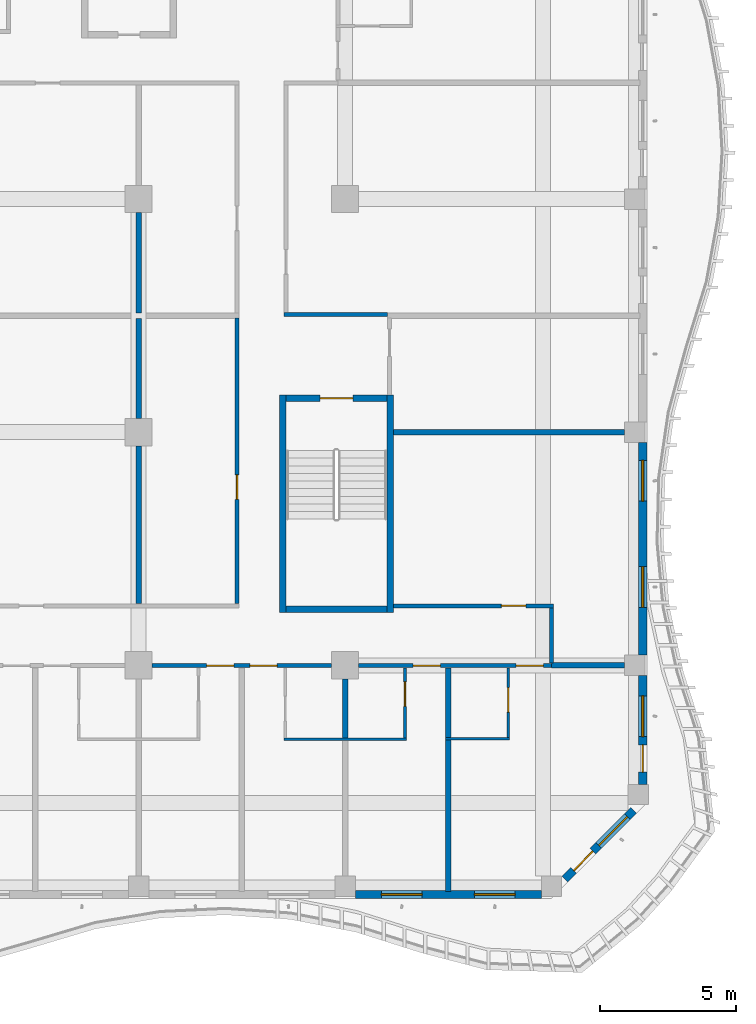
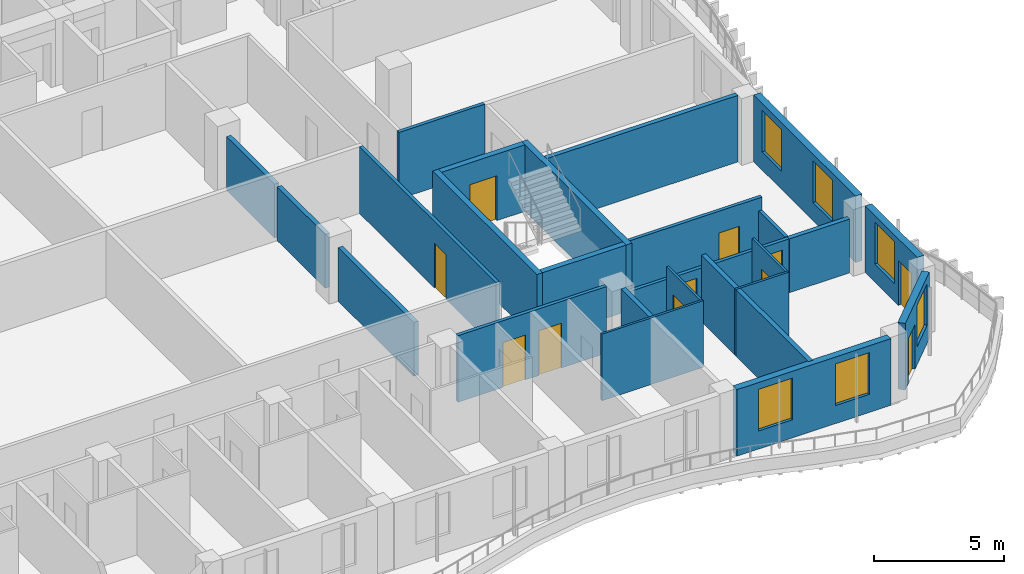
# One storey, part 5 of 23: 26 walls, 11 doors, 6 windows, 17 openings.
"""IFC4 building model written with IfcOpenShell, lengths in metres."""

from ifc_helpers import new_model, si_unit, direction, frame, frame_2d, origin, place, context, subcontext, project, spatial, rectangle, extrude, source, transform, mapped, material, layer, layer_set, type_object, element, fill, save


model = new_model("IFC4")

# Units and contexts
model_context = context("Model", 3, precision=1e-05, world=origin(), true_north=direction((0.0, 1.0)))
body_context = subcontext(model_context, "Body", "Model", "MODEL_VIEW")
ifc_project = project(units=[si_unit("LENGTHUNIT", "METRE"), si_unit("AREAUNIT", "SQUARE_METRE"), si_unit("VOLUMEUNIT", "CUBIC_METRE"), si_unit("PLANEANGLEUNIT", "RADIAN"), si_unit("MASSUNIT", "GRAM", prefix="KILO")], contexts=[model_context])

# Site, building, storey
site_placement = place(None, origin())
site = spatial("IfcSite", under=ifc_project, at=site_placement, CompositionType="ELEMENT")
building_placement = place(site_placement, origin())
building = spatial("IfcBuilding", under=site, at=building_placement, Name="Kilnfold Tower and Market Hall", CompositionType="ELEMENT")
storey_placement = place(building_placement, frame((0.0, 0.0, 203.300048828125)))
storey = spatial("IfcBuildingStorey", under=building, at=storey_placement, Name="L49", CompositionType="ELEMENT", Elevation=203.300048828125)

# Wall, openings, doors
ifc_material_1 = material(Name="Gypsum board on steel studs", Category="steel")
ifc_layer_1 = layer(ifc_material_1, 0.14990234375)
ifc_layer_set_1 = layer_set([ifc_layer_1], Name="Gypsum board on steel studs")
wall_type_1 = type_object("IfcWallType", Name="WALL CORRIDOR 150", PredefinedType="PARTITIONING", material=ifc_layer_set_1)
wall_1_placement = place(storey_placement, frame((13.0830078125, -17.699951171875, 0.0), z_axis=(0.0, 0.0, 1.0), x_axis=(1.0, 0.0, 0.0)))
wall_1 = element("IfcWall", 1, at=wall_1_placement, inside=storey, type_object=wall_type_1, Name="Partition LY30.5", PredefinedType="PARTITIONING", context=body_context, shape_type="SweptSolid", body=[
    extrude(rectangle(XDim=6.583984375, YDim=0.14990234375, at=frame_2d((3.2919921875, 0.0))), origin(), (0.0, 0.0, 1.0), 3.119873046875),
])
opening_1_placement = place(wall_1_placement, frame((1.99609375, 0.0, 0.0)))
opening_1 = element("IfcOpeningElement", 2, at=opening_1_placement, cuts=wall_1, Name="Opening D1", PredefinedType="OPENING", context=body_context, shape_type="SweptSolid", body=[
    extrude(rectangle(XDim=1.0, YDim=2.10009765625, at=frame_2d((0.5, 1.050048828125))), frame((0.0, 0.0849609375, 0.0), z_axis=(0.0, -1.0, 0.0), x_axis=(1.0, 0.0, 0.0)), (0.0, 0.0, 1.0), 0.169921875),
])
opening_2_placement = place(wall_1_placement, frame((3.587890625, 0.0, 0.0)))
opening_2 = element("IfcOpeningElement", 3, at=opening_2_placement, cuts=wall_1, Name="Opening D1", PredefinedType="OPENING", context=body_context, shape_type="SweptSolid", body=[
    extrude(rectangle(XDim=1.0, YDim=2.10009765625, at=frame_2d((0.5, 1.050048828125))), frame((0.0, 0.0849609375, 0.0), z_axis=(0.0, -1.0, 0.0), x_axis=(1.0, 0.0, 0.0)), (0.0, 0.0, 1.0), 0.169921875),
])
ifc_material_2 = material(Name="Timber veneer door leaf in steel frame", Category="steel")
door_type_1 = type_object("IfcDoorType", Name="DOOR ENTRY 1000 X2100", OperationType="NOTDEFINED", PredefinedType="DOOR", material=ifc_material_2)
door_1_placement = place(opening_1_placement, origin())
door_1 = element("IfcDoor", 4, at=door_1_placement, inside=storey, type_object=door_type_1, Name="Door D1", OperationType="SINGLE_SWING_RIGHT", OverallHeight=2.10009765625, OverallWidth=1.0, PredefinedType="DOOR", context=body_context, shape_type="SweptSolid", body=[
    extrude(rectangle(XDim=1.0, YDim=2.10009765625, at=frame_2d((0.5, 1.050048828125))), frame((0.0, 0.02490234375, 0.0), z_axis=(0.0, -1.0, 0.0), x_axis=(1.0, 0.0, 0.0)), (0.0, 0.0, 1.0), 0.050048828125),
])
fill(opening_1, door_1)
door_2_placement = place(opening_2_placement, origin())
door_2 = element("IfcDoor", 5, at=door_2_placement, inside=storey, type_object=door_type_1, Name="Door D1", OperationType="SINGLE_SWING_RIGHT", OverallHeight=2.10009765625, OverallWidth=1.0, PredefinedType="DOOR", context=body_context, shape_type="SweptSolid", body=[
    extrude(rectangle(XDim=1.0, YDim=2.10009765625, at=frame_2d((0.5, 1.050048828125))), frame((0.0, 0.02490234375, 0.0), z_axis=(0.0, -1.0, 0.0), x_axis=(1.0, 0.0, 0.0)), (0.0, 0.0, 1.0), 0.050048828125),
])
fill(opening_2, door_2)

wall_2_placement = place(storey_placement, frame((20.6669921875, -17.699951171875, 0.0), z_axis=(0.0, 0.0, 1.0), x_axis=(1.0, 0.0, 0.0)))
wall_2 = element("IfcWall", 6, at=wall_2_placement, inside=storey, type_object=wall_type_1, Name="Partition LY30.6", PredefinedType="PARTITIONING", context=body_context, shape_type="SweptSolid", body=[
    extrude(rectangle(XDim=7.0830078125, YDim=0.14990234375, at=frame_2d((3.54150390625, 0.0))), origin(), (0.0, 0.0, 1.0), 2.52001953125),
])
opening_3_placement = place(wall_2_placement, frame((1.99609375, 0.0, 0.0)))
opening_3 = element("IfcOpeningElement", 7, at=opening_3_placement, cuts=wall_2, Name="Opening D1", PredefinedType="OPENING", context=body_context, shape_type="SweptSolid", body=[
    extrude(rectangle(XDim=1.0, YDim=2.10009765625, at=frame_2d((0.5, 1.050048828125))), frame((0.0, 0.0849609375, 0.0), z_axis=(0.0, -1.0, 0.0), x_axis=(1.0, 0.0, 0.0)), (0.0, 0.0, 1.0), 0.169921875),
])
opening_4_placement = place(wall_2_placement, frame((5.781982421875, 0.0, 0.0)))
opening_4 = element("IfcOpeningElement", 8, at=opening_4_placement, cuts=wall_2, Name="Opening D1", PredefinedType="OPENING", context=body_context, shape_type="SweptSolid", body=[
    extrude(rectangle(XDim=1.0, YDim=2.10009765625, at=frame_2d((0.5, 1.050048828125))), frame((0.0, 0.0849609375, 0.0), z_axis=(0.0, -1.0, 0.0), x_axis=(1.0, 0.0, 0.0)), (0.0, 0.0, 1.0), 0.169921875),
])
door_3_placement = place(opening_3_placement, origin())
door_3 = element("IfcDoor", 9, at=door_3_placement, inside=storey, type_object=door_type_1, Name="Door D1", OperationType="SINGLE_SWING_RIGHT", OverallHeight=2.10009765625, OverallWidth=1.0, PredefinedType="DOOR", context=body_context, shape_type="SweptSolid", body=[
    extrude(rectangle(XDim=1.0, YDim=2.10009765625, at=frame_2d((0.5, 1.050048828125))), frame((0.0, 0.02490234375, 0.0), z_axis=(0.0, -1.0, 0.0), x_axis=(1.0, 0.0, 0.0)), (0.0, 0.0, 1.0), 0.050048828125),
])
fill(opening_3, door_3)
door_4_placement = place(opening_4_placement, origin())
door_4 = element("IfcDoor", 10, at=door_4_placement, inside=storey, type_object=door_type_1, Name="Door D1", OperationType="SINGLE_SWING_RIGHT", OverallHeight=2.10009765625, OverallWidth=1.0, PredefinedType="DOOR", context=body_context, shape_type="SweptSolid", body=[
    extrude(rectangle(XDim=1.0, YDim=2.10009765625, at=frame_2d((0.5, 1.050048828125))), frame((0.0, 0.02490234375, 0.0), z_axis=(0.0, -1.0, 0.0), x_axis=(1.0, 0.0, 0.0)), (0.0, 0.0, 1.0), 0.050048828125),
])
fill(opening_4, door_4)

# Wall
wall_3_placement = place(storey_placement, frame((17.925048828125, -4.800048828125, 0.0), z_axis=(0.0, 0.0, 1.0), x_axis=(1.0, 0.0, 0.0)))
element("IfcWall", 11, at=wall_3_placement, inside=storey, type_object=wall_type_1, Name="Partition LY30.27", PredefinedType="PARTITIONING", context=body_context, shape_type="SweptSolid", body=[
    extrude(rectangle(XDim=3.802001953125, YDim=0.14990234375, at=frame_2d((1.90087890625, 0.0))), origin(), (0.0, 0.0, 1.0), 3.119873046875),
])

# Wall, opening, door
wall_4_placement = place(storey_placement, frame((21.949951171875, -15.5, 0.0), z_axis=(0.0, 0.0, 1.0), x_axis=(1.0, 0.0, 0.0)))
wall_4 = element("IfcWall", 12, at=wall_4_placement, inside=storey, type_object=wall_type_1, Name="Partition LY30.29", PredefinedType="PARTITIONING", context=body_context, shape_type="SweptSolid", body=[
    extrude(rectangle(XDim=5.875, YDim=0.14990234375, at=frame_2d((2.9375, 0.0))), origin(), (0.0, 0.0, 1.0), 3.119873046875),
])
opening_5_placement = place(wall_4_placement, frame((3.9619140625, 0.0, 0.0)))
opening_5 = element("IfcOpeningElement", 13, at=opening_5_placement, cuts=wall_4, Name="Opening D2", PredefinedType="OPENING", context=body_context, shape_type="SweptSolid", body=[
    extrude(rectangle(XDim=0.89990234375, YDim=2.10009765625, at=frame_2d((0.449951171875, 1.050048828125))), frame((0.0, 0.0849609375, 0.0), z_axis=(0.0, -1.0, 0.0), x_axis=(1.0, 0.0, 0.0)), (0.0, 0.0, 1.0), 0.169921875),
])
ifc_material_3 = material(Name="Timber veneer door leaf in steel frame", Category="steel")
door_type_2 = type_object("IfcDoorType", Name="DOOR ROOM 900 X2100", OperationType="NOTDEFINED", PredefinedType="DOOR", material=ifc_material_3)
door_5_placement = place(opening_5_placement, origin())
door_5 = element("IfcDoor", 14, at=door_5_placement, inside=storey, type_object=door_type_2, Name="Door D2", OperationType="SINGLE_SWING_LEFT", OverallHeight=2.10009765625, OverallWidth=0.89990234375, PredefinedType="DOOR", context=body_context, shape_type="SweptSolid", body=[
    extrude(rectangle(XDim=0.89990234375, YDim=2.10009765625, at=frame_2d((0.449951171875, 1.050048828125))), frame((0.0, 0.02490234375, 0.0), z_axis=(0.0, -1.0, 0.0), x_axis=(1.0, 0.0, 0.0)), (0.0, 0.0, 1.0), 0.050048828125),
])
fill(opening_5, door_5)

# Wall
wall_5_placement = place(storey_placement, frame((27.75, -17.597900390625, 0.0), z_axis=(0.0, 0.0, 1.0), x_axis=(0.0, 1.0, 0.0)))
element("IfcWall", 15, at=wall_5_placement, inside=storey, type_object=wall_type_1, Name="Partition LY30.30", PredefinedType="PARTITIONING", context=body_context, shape_type="SweptSolid", body=[
    extrude(rectangle(XDim=2.02294921875, YDim=0.14990234375, at=frame_2d((1.011474609375, 0.0))), origin(), (0.0, 0.0, 1.0), 2.52001953125),
])

# Wall, opening, door
wall_6_placement = place(storey_placement, frame((16.199951171875, -15.425048828125, 0.0), z_axis=(0.0, 0.0, 1.0), x_axis=(0.0, 1.0, 0.0)))
wall_6 = element("IfcWall", 16, at=wall_6_placement, inside=storey, type_object=wall_type_1, Name="Partition LY30.41", PredefinedType="PARTITIONING", context=body_context, shape_type="SweptSolid", body=[
    extrude(rectangle(XDim=10.491943359375, YDim=0.14990234375, at=frame_2d((5.24609375, 0.0))), origin(), (0.0, 0.0, 1.0), 3.119873046875),
])
opening_6_placement = place(wall_6_placement, frame((3.8359375, 0.0, 0.0)))
opening_6 = element("IfcOpeningElement", 17, at=opening_6_placement, cuts=wall_6, Name="Opening D2", PredefinedType="OPENING", context=body_context, shape_type="SweptSolid", body=[
    extrude(rectangle(XDim=0.89990234375, YDim=2.10009765625, at=frame_2d((0.449951171875, 1.050048828125))), frame((0.0, 0.0849609375, 0.0), z_axis=(0.0, -1.0, 0.0), x_axis=(1.0, 0.0, 0.0)), (0.0, 0.0, 1.0), 0.169921875),
])
door_6_placement = place(opening_6_placement, origin())
door_6 = element("IfcDoor", 18, at=door_6_placement, inside=storey, type_object=door_type_2, Name="Door D2", OperationType="SINGLE_SWING_RIGHT", OverallHeight=2.10009765625, OverallWidth=0.89990234375, PredefinedType="DOOR", context=body_context, shape_type="SweptSolid", body=[
    extrude(rectangle(XDim=0.89990234375, YDim=2.10009765625, at=frame_2d((0.449951171875, 1.050048828125))), frame((0.0, 0.02490234375, 0.0), z_axis=(0.0, -1.0, 0.0), x_axis=(1.0, 0.0, 0.0)), (0.0, 0.0, 1.0), 0.050048828125),
])
fill(opening_6, door_6)

# Wall
ifc_material_4 = material(Name="Gypsum board on steel studs", Category="steel")
ifc_layer_2 = layer(ifc_material_4, 0.10009765625)
ifc_layer_set_2 = layer_set([ifc_layer_2], Name="Gypsum board on steel studs")
wall_type_2 = type_object("IfcWallType", Name="WALL PARTITION 100", PredefinedType="PARTITIONING", material=ifc_layer_set_2)
wall_7_placement = place(storey_placement, frame((17.9169921875, -20.402099609375, 0.0), z_axis=(0.0, 0.0, 1.0), x_axis=(1.0, 0.0, 0.0)))
element("IfcWall", 19, at=wall_7_placement, inside=storey, type_object=wall_type_2, Name="Partition LY30.72", PredefinedType="PARTITIONING", context=body_context, shape_type="SweptSolid", body=[
    extrude(rectangle(XDim=4.5, YDim=0.10009765625, at=frame_2d((2.25, 0.0))), origin(), (0.0, 0.0, 1.0), 3.119873046875),
])

# Wall, opening, door
wall_8_placement = place(storey_placement, frame((22.366943359375, -17.777099609375, 0.0), z_axis=(0.0, 0.0, 1.0), x_axis=(0.0, -1.0, 0.0)))
wall_8 = element("IfcWall", 20, at=wall_8_placement, inside=storey, type_object=wall_type_2, Name="Partition LY30.75", PredefinedType="PARTITIONING", context=body_context, shape_type="SweptSolid", body=[
    extrude(rectangle(XDim=2.574951171875, YDim=0.10009765625, at=frame_2d((1.28759765625, 0.0))), origin(), (0.0, 0.0, 1.0), 3.119873046875),
])
opening_7_placement = place(wall_8_placement, frame((0.51904296875, 0.0, 0.0)))
opening_7 = element("IfcOpeningElement", 21, at=opening_7_placement, cuts=wall_8, Name="Opening D3", PredefinedType="OPENING", context=body_context, shape_type="SweptSolid", body=[
    extrude(rectangle(XDim=0.89990234375, YDim=2.10009765625, at=frame_2d((0.449951171875, 1.050048828125))), frame((0.0, 0.06005859375, 0.0), z_axis=(0.0, -1.0, 0.0), x_axis=(1.0, 0.0, 0.0)), (0.0, 0.0, 1.0), 0.1201171875),
])
ifc_material_5 = material(Name="Timber veneer door leaf in steel frame", Category="steel")
door_type_3 = type_object("IfcDoorType", Name="DOOR WC 900 X2100", OperationType="NOTDEFINED", PredefinedType="DOOR", material=ifc_material_5)
door_7_placement = place(opening_7_placement, origin())
door_7 = element("IfcDoor", 22, at=door_7_placement, inside=storey, type_object=door_type_3, Name="Door D3", OperationType="SINGLE_SWING_RIGHT", OverallHeight=2.10009765625, OverallWidth=0.89990234375, PredefinedType="DOOR", context=body_context, shape_type="SweptSolid", body=[
    extrude(rectangle(XDim=0.89990234375, YDim=2.10009765625, at=frame_2d((0.449951171875, 1.050048828125))), frame((0.0, 0.02490234375, 0.0), z_axis=(0.0, -1.0, 0.0), x_axis=(1.0, 0.0, 0.0)), (0.0, 0.0, 1.0), 0.050048828125),
])
fill(opening_7, door_7)

# Wall
wall_9_placement = place(storey_placement, frame((23.85888671875, -20.387939453125, 0.0), z_axis=(0.0, 0.0, 1.0), x_axis=(1.0, 0.0, 0.0)))
element("IfcWall", 23, at=wall_9_placement, inside=storey, type_object=wall_type_2, Name="Partition LY30.78", PredefinedType="PARTITIONING", context=body_context, shape_type="SweptSolid", body=[
    extrude(rectangle(XDim=2.35009765625, YDim=0.10009765625, at=frame_2d((1.175048828125, 0.0))), origin(), (0.0, 0.0, 1.0), 3.119873046875),
])

# Wall, opening, door
wall_10_placement = place(storey_placement, frame((26.158935546875, -17.777099609375, 0.0), z_axis=(0.0, 0.0, 1.0), x_axis=(0.0, -1.0, 0.0)))
wall_10 = element("IfcWall", 24, at=wall_10_placement, inside=storey, type_object=wall_type_2, Name="Partition LY30.79", PredefinedType="PARTITIONING", context=body_context, shape_type="SweptSolid", body=[
    extrude(rectangle(XDim=2.560791015625, YDim=0.10009765625, at=frame_2d((1.2802734375, 0.0))), origin(), (0.0, 0.0, 1.0), 3.119873046875),
])
opening_8_placement = place(wall_10_placement, frame((0.72509765625, 0.0, 0.0)))
opening_8 = element("IfcOpeningElement", 25, at=opening_8_placement, cuts=wall_10, Name="Opening D3", PredefinedType="OPENING", context=body_context, shape_type="SweptSolid", body=[
    extrude(rectangle(XDim=0.89990234375, YDim=2.10009765625, at=frame_2d((0.449951171875, 1.050048828125))), frame((0.0, 0.06005859375, 0.0), z_axis=(0.0, -1.0, 0.0), x_axis=(1.0, 0.0, 0.0)), (0.0, 0.0, 1.0), 0.1201171875),
])
door_8_placement = place(opening_8_placement, origin())
door_8 = element("IfcDoor", 26, at=door_8_placement, inside=storey, type_object=door_type_3, Name="Door D3", OperationType="SINGLE_SWING_RIGHT", OverallHeight=2.10009765625, OverallWidth=0.89990234375, PredefinedType="DOOR", context=body_context, shape_type="SweptSolid", body=[
    extrude(rectangle(XDim=0.89990234375, YDim=2.10009765625, at=frame_2d((0.449951171875, 1.050048828125))), frame((0.0, 0.02490234375, 0.0), z_axis=(0.0, -1.0, 0.0), x_axis=(1.0, 0.0, 0.0)), (0.0, 0.0, 1.0), 0.050048828125),
])
fill(opening_8, door_8)

# Walls
ifc_material_6 = material(Name="Gypsum board on steel studs", Category="steel")
ifc_layer_3 = layer(ifc_material_6, 0.199951171875)
ifc_layer_set_3 = layer_set([ifc_layer_3], Name="Gypsum board on steel studs")
wall_type_3 = type_object("IfcWallType", Name="WALL PARTY 200", PredefinedType="PARTITIONING", material=ifc_layer_set_3)
wall_11_placement = place(storey_placement, frame((20.1669921875, -20.35205078125, 0.0), z_axis=(0.0, 0.0, 1.0), x_axis=(0.0, 1.0, 0.0)))
element("IfcWall", 27, at=wall_11_placement, inside=storey, type_object=wall_type_3, Name="Partition LY30.74", PredefinedType="PARTITIONING", context=body_context, shape_type="SweptSolid", body=[
    extrude(rectangle(XDim=2.1640625, YDim=0.199951171875, at=frame_2d((1.08203125, 0.0))), origin(), (0.0, 0.0, 1.0), 3.119873046875),
])
wall_12_placement = place(storey_placement, frame((23.958984375, -26.0, 0.0), z_axis=(0.0, 0.0, 1.0), x_axis=(0.0, 1.0, 0.0)))
element("IfcWall", 28, at=wall_12_placement, inside=storey, type_object=wall_type_3, Name="Partition LY30.76", PredefinedType="PARTITIONING", context=body_context, shape_type="SweptSolid", body=[
    extrude(rectangle(XDim=5.572021484375, YDim=0.199951171875, at=frame_2d((2.7861328125, 0.0))), origin(), (0.0, 0.0, 1.0), 3.119873046875),
])
wall_13_placement = place(storey_placement, frame((23.958984375, -20.347900390625, 0.0), z_axis=(0.0, 0.0, 1.0), x_axis=(0.0, 1.0, 0.0)))
element("IfcWall", 29, at=wall_13_placement, inside=storey, type_object=wall_type_3, Name="Partition LY30.77", PredefinedType="PARTITIONING", context=body_context, shape_type="SweptSolid", body=[
    extrude(rectangle(XDim=2.57080078125, YDim=0.199951171875, at=frame_2d((1.285400390625, 0.0))), origin(), (0.0, 0.0, 1.0), 3.119873046875),
])
wall_14_placement = place(storey_placement, frame((27.751953125, -17.68798828125, 0.0), z_axis=(0.0, 0.0, 1.0), x_axis=(1.0, 0.0, 0.0)))
element("IfcWall", 30, at=wall_14_placement, inside=storey, type_object=wall_type_3, Name="Partition LY30.80", PredefinedType="PARTITIONING", context=body_context, shape_type="SweptSolid", body=[
    extrude(rectangle(XDim=2.673095703125, YDim=0.199951171875, at=frame_2d((1.33642578125, 0.0))), origin(), (0.0, 0.0, 1.0), 2.52001953125),
])
wall_15_placement = place(storey_placement, frame((21.949951171875, -9.125, 0.0), z_axis=(0.0, 0.0, 1.0), x_axis=(1.0, 0.0, 0.0)))
element("IfcWall", 31, at=wall_15_placement, inside=storey, type_object=wall_type_3, Name="Partition LY30.98", PredefinedType="PARTITIONING", context=body_context, shape_type="SweptSolid", body=[
    extrude(rectangle(XDim=8.47509765625, YDim=0.199951171875, at=frame_2d((4.237548828125, 0.0))), origin(), (0.0, 0.0, 1.0), 3.119873046875),
])
wall_16_placement = place(storey_placement, frame((12.5830078125, -4.742919921875, 0.0), z_axis=(0.0, 0.0, 1.0), x_axis=(0.0, 1.0, 0.0)))
element("IfcWall", 32, at=wall_16_placement, inside=storey, type_object=wall_type_3, Name="Partition LY30.116", PredefinedType="PARTITIONING", context=body_context, shape_type="SweptSolid", body=[
    extrude(rectangle(XDim=3.680908203125, YDim=0.199951171875, at=frame_2d((1.84033203125, 0.0))), origin(), (0.0, 0.0, 1.0), 2.52001953125),
])
wall_17_placement = place(storey_placement, frame((12.5830078125, -8.625, 0.0), z_axis=(0.0, 0.0, 1.0), x_axis=(0.0, 1.0, 0.0)))
element("IfcWall", 33, at=wall_17_placement, inside=storey, type_object=wall_type_3, Name="Partition LY30.119", PredefinedType="PARTITIONING", context=body_context, shape_type="SweptSolid", body=[
    extrude(rectangle(XDim=3.681884765625, YDim=0.199951171875, at=frame_2d((1.8408203125, 0.0))), origin(), (0.0, 0.0, 1.0), 2.52001953125),
])
wall_18_placement = place(storey_placement, frame((12.5830078125, -15.423095703125, 0.0), z_axis=(0.0, 0.0, 1.0), x_axis=(0.0, 1.0, 0.0)))
element("IfcWall", 34, at=wall_18_placement, inside=storey, type_object=wall_type_3, Name="Partition LY30.120", PredefinedType="PARTITIONING", context=body_context, shape_type="SweptSolid", body=[
    extrude(rectangle(XDim=5.798095703125, YDim=0.199951171875, at=frame_2d((2.89892578125, 0.0))), origin(), (0.0, 0.0, 1.0), 2.52001953125),
])
ifc_material_7 = material(Name="Concrete C60", Category="concrete")
ifc_layer_4 = layer(ifc_material_7, 0.25)
ifc_layer_set_4 = layer_set([ifc_layer_4], Name="Concrete C60")
wall_type_4 = type_object("IfcWallType", Name="CORE WALL 250 C60", PredefinedType="SHEAR", material=ifc_layer_set_4)
shared_shape_1 = source(origin(), body_context, "Body", "SweptSolid", [
    extrude(rectangle(XDim=3.699951171875, YDim=0.25, at=frame_2d((1.85009765625, 0.0))), origin(), (0.0, 0.0, 1.0), 3.119873046875),
])
wall_19_placement = place(storey_placement, frame((18.0, -15.625, 0.0), z_axis=(0.0, 0.0, 1.0), x_axis=(1.0, 0.0, 0.0)))
element("IfcWall", 35, at=wall_19_placement, inside=storey, type_object=wall_type_4, Name="Stair enclosure ST4", PredefinedType="SHEAR", context=body_context, shape_type="MappedRepresentation", body=[
    mapped(shared_shape_1, transform((0.0, 0.0, 0.0))),
])

# Wall, opening, door
wall_20_placement = place(storey_placement, frame((18.0, -7.875, 0.0), z_axis=(0.0, 0.0, 1.0), x_axis=(1.0, 0.0, 0.0)))
wall_20 = element("IfcWall", 36, at=wall_20_placement, inside=storey, type_object=wall_type_4, Name="Stair enclosure ST4", PredefinedType="SHEAR", context=body_context, shape_type="MappedRepresentation", body=[
    mapped(shared_shape_1, transform((0.0, 0.0, 0.0))),
])
opening_9_placement = place(wall_20_placement, frame((1.25, 0.0, 0.0)))
opening_9 = element("IfcOpeningElement", 37, at=opening_9_placement, cuts=wall_20, Name="Opening SD1", PredefinedType="OPENING", context=body_context, shape_type="SweptSolid", body=[
    extrude(rectangle(XDim=1.199951171875, YDim=2.10009765625, at=frame_2d((0.60009765625, 1.050048828125))), frame((0.0, 0.135009765625, 0.0), z_axis=(0.0, -1.0, 0.0), x_axis=(1.0, 0.0, 0.0)), (0.0, 0.0, 1.0), 0.27001953125),
])
ifc_material_8 = material(Name="Steel door set with fire-resisting leaf", Category="steel")
door_type_4 = type_object("IfcDoorType", Name="STAIR FLOOR DOOR 1200X2100", OperationType="NOTDEFINED", PredefinedType="DOOR", material=ifc_material_8)
door_9_placement = place(opening_9_placement, origin())
door_9 = element("IfcDoor", 38, at=door_9_placement, inside=storey, type_object=door_type_4, Name="Exit stair ST4 door", OperationType="DOUBLE_DOOR_SINGLE_SWING", OverallHeight=2.10009765625, OverallWidth=1.199951171875, PredefinedType="DOOR", context=body_context, shape_type="SweptSolid", body=[
    extrude(rectangle(XDim=1.199951171875, YDim=2.10009765625, at=frame_2d((0.60009765625, 1.050048828125))), frame((0.0, 0.02490234375, 0.0), z_axis=(0.0, -1.0, 0.0), x_axis=(1.0, 0.0, 0.0)), (0.0, 0.0, 1.0), 0.050048828125),
])
fill(opening_9, door_9)

# Walls
shared_shape_2 = source(origin(), body_context, "Body", "SweptSolid", [
    extrude(rectangle(XDim=8.0, YDim=0.25, at=frame_2d((4.0, 0.0))), origin(), (0.0, 0.0, 1.0), 3.119873046875),
])
for number, where, z_axis, x_axis, name in (
    (39, (17.875, -15.75, 0.0), (0.0, 0.0, 1.0), (0.0, 1.0, 0.0), "Stair enclosure ST4"),
    (40, (21.824951171875, -15.75, 0.0), (0.0, 0.0, 1.0), (0.0, 1.0, 0.0), "Stair enclosure ST4"),
):
    element("IfcWall", number, at=place(storey_placement, frame(where, z_axis=z_axis, x_axis=x_axis)), inside=storey, type_object=wall_type_4, Name=name, PredefinedType="SHEAR", context=body_context, shape_type="MappedRepresentation", body=[
        mapped(shared_shape_2, transform((0.0, 0.0, 0.0))),
    ])

# Wall, openings, windows
ifc_material_9 = material(Name="Precast concrete C50/60", Category="concrete")
ifc_layer_5 = layer(ifc_material_9, 0.300048828125)
ifc_layer_set_5 = layer_set([ifc_layer_5], Name="Precast concrete C50/60")
wall_type_5 = type_object("IfcWallType", Name="PRECAST WALL 300", PredefinedType="SOLIDWALL", material=ifc_layer_set_5)
shared_shape_3 = source(origin(), body_context, "Body", "SweptSolid", [
    extrude(rectangle(XDim=6.833251953125, YDim=0.300048828125, at=frame_2d((3.41650390625, 0.0))), origin(), (0.0, 0.0, 1.0), 3.119873046875),
])
wall_21_placement = place(storey_placement, frame((20.541748046875, -26.10009765625, 0.0), z_axis=(0.0, 0.0, 1.0), x_axis=(1.0, 0.0, 0.0)))
wall_21 = element("IfcWall", 41, at=wall_21_placement, inside=storey, type_object=wall_type_5, Name="External wall L49 S", PredefinedType="SOLIDWALL", context=body_context, shape_type="MappedRepresentation", body=[
    mapped(shared_shape_3, transform((0.0, 0.0, 0.0))),
])
opening_10_placement = place(wall_21_placement, frame((0.958251953125, 0.0, 0.85009765625)))
opening_10 = element("IfcOpeningElement", 42, at=opening_10_placement, cuts=wall_21, Name="Opening W4", PredefinedType="OPENING", context=body_context, shape_type="SweptSolid", body=[
    extrude(rectangle(XDim=1.5, YDim=1.949951171875, at=frame_2d((0.75, 0.97509765625))), frame((0.0, 0.16015625, 0.0), z_axis=(0.0, -1.0, 0.0), x_axis=(1.0, 0.0, 0.0)), (0.0, 0.0, 1.0), 0.320068359375),
])
opening_11_placement = place(wall_21_placement, frame((4.375, 0.0, 0.85009765625)))
opening_11 = element("IfcOpeningElement", 43, at=opening_11_placement, cuts=wall_21, Name="Opening W4", PredefinedType="OPENING", context=body_context, shape_type="SweptSolid", body=[
    extrude(rectangle(XDim=1.5, YDim=1.949951171875, at=frame_2d((0.75, 0.97509765625))), frame((0.0, 0.16015625, 0.0), z_axis=(0.0, -1.0, 0.0), x_axis=(1.0, 0.0, 0.0)), (0.0, 0.0, 1.0), 0.320068359375),
])
ifc_material_10 = material(Name="Aluminium frame and double glazing", Category="aluminium")
window_type = type_object("IfcWindowType", Name="WINDOW W4 1500X1950", PartitioningType="SINGLE_PANEL", PredefinedType="WINDOW", material=ifc_material_10)
window_1_placement = place(opening_10_placement, origin())
window_1 = element("IfcWindow", 44, at=window_1_placement, inside=storey, type_object=window_type, Name="Window W4 L49 S-1", OverallHeight=1.949951171875, OverallWidth=1.5, PartitioningType="SINGLE_PANEL", PredefinedType="WINDOW", context=body_context, shape_type="SweptSolid", body=[
    extrude(rectangle(XDim=1.5, YDim=1.949951171875, at=frame_2d((0.75, 0.97509765625))), frame((0.0, 0.030029296875, 0.0), z_axis=(0.0, -1.0, 0.0), x_axis=(1.0, 0.0, 0.0)), (0.0, 0.0, 1.0), 0.06005859375),
])
fill(opening_10, window_1)
window_2_placement = place(opening_11_placement, origin())
window_2 = element("IfcWindow", 45, at=window_2_placement, inside=storey, type_object=window_type, Name="Window W4 L49 S-2", OverallHeight=1.949951171875, OverallWidth=1.5, PartitioningType="SINGLE_PANEL", PredefinedType="WINDOW", context=body_context, shape_type="SweptSolid", body=[
    extrude(rectangle(XDim=1.5, YDim=1.949951171875, at=frame_2d((0.75, 0.97509765625))), frame((0.0, 0.030029296875, 0.0), z_axis=(0.0, -1.0, 0.0), x_axis=(1.0, 0.0, 0.0)), (0.0, 0.0, 1.0), 0.06005859375),
])
fill(opening_11, window_2)

# Wall, openings, door, window
shared_shape_4 = source(origin(), body_context, "Body", "SweptSolid", [
    extrude(rectangle(XDim=3.571044921875, YDim=0.300048828125, at=frame_2d((1.78564453125, 0.0))), origin(), (0.0, 0.0, 1.0), 3.119873046875),
])
wall_22_placement = place(storey_placement, frame((28.243896484375, -25.5439453125, 0.0), z_axis=(0.0, 0.0, 1.0), x_axis=(0.707072595841, 0.707140964879, 0.0)))
wall_22 = element("IfcWall", 46, at=wall_22_placement, inside=storey, type_object=wall_type_5, Name="External wall L49 SE", PredefinedType="SOLIDWALL", context=body_context, shape_type="MappedRepresentation", body=[
    mapped(shared_shape_4, transform((0.0, 0.0, 0.0))),
])
opening_12_placement = place(wall_22_placement, frame((1.75, 0.0, 0.85009765625)))
opening_12 = element("IfcOpeningElement", 47, at=opening_12_placement, cuts=wall_22, Name="Opening W4", PredefinedType="OPENING", context=body_context, shape_type="SweptSolid", body=[
    extrude(rectangle(XDim=1.5, YDim=1.949951171875, at=frame_2d((0.75, 0.97509765625))), frame((0.0, 0.16015625, 0.0), z_axis=(0.0, -1.0, 0.0), x_axis=(1.0, 0.0, 0.0)), (0.0, 0.0, 1.0), 0.320068359375),
])
opening_13_placement = place(wall_22_placement, frame((0.449951171875, 0.0, 0.0)))
opening_13 = element("IfcOpeningElement", 48, at=opening_13_placement, cuts=wall_22, Name="Opening BD1", PredefinedType="OPENING", context=body_context, shape_type="SweptSolid", body=[
    extrude(rectangle(XDim=1.0, YDim=2.10009765625, at=frame_2d((0.5, 1.050048828125))), frame((0.0, 0.16015625, 0.0), z_axis=(0.0, -1.0, 0.0), x_axis=(1.0, 0.0, 0.0)), (0.0, 0.0, 1.0), 0.320068359375),
])
ifc_material_11 = material(Name="Aluminium frame and double glazing", Category="aluminium")
door_type_5 = type_object("IfcDoorType", Name="BALCONY DOOR 1000X2100", OperationType="NOTDEFINED", PredefinedType="DOOR", material=ifc_material_11)
door_10_placement = place(opening_13_placement, origin())
door_10 = element("IfcDoor", 49, at=door_10_placement, inside=storey, type_object=door_type_5, Name="Balcony door BD1 L49 SE-1", OperationType="SINGLE_SWING_LEFT", OverallHeight=2.10009765625, OverallWidth=1.0, PredefinedType="DOOR", context=body_context, shape_type="SweptSolid", body=[
    extrude(rectangle(XDim=1.0, YDim=2.10009765625, at=frame_2d((0.5, 1.050048828125))), frame((0.0, 0.02490234375, 0.0), z_axis=(0.0, -1.0, 0.0), x_axis=(1.0, 0.0, 0.0)), (0.0, 0.0, 1.0), 0.050048828125),
])
fill(opening_13, door_10)
window_3_placement = place(opening_12_placement, origin())
window_3 = element("IfcWindow", 50, at=window_3_placement, inside=storey, type_object=window_type, Name="Window W4 L49 SE-1", OverallHeight=1.949951171875, OverallWidth=1.5, PartitioningType="SINGLE_PANEL", PredefinedType="WINDOW", context=body_context, shape_type="SweptSolid", body=[
    extrude(rectangle(XDim=1.5, YDim=1.949951171875, at=frame_2d((0.75, 0.97509765625))), frame((0.0, 0.030029296875, 0.0), z_axis=(0.0, -1.0, 0.0), x_axis=(1.0, 0.0, 0.0)), (0.0, 0.0, 1.0), 0.06005859375),
])
fill(opening_12, window_3)

shared_shape_5 = source(origin(), body_context, "Body", "SweptSolid", [
    extrude(rectangle(XDim=3.994384765625, YDim=0.300048828125, at=frame_2d((1.9970703125, 0.0))), origin(), (0.0, 0.0, 1.0), 3.119873046875),
])
wall_23_placement = place(storey_placement, frame((31.10009765625, -22.056884765625, 0.0), z_axis=(0.0, 0.0, 1.0), x_axis=(0.0, 1.0, 0.0)))
wall_23 = element("IfcWall", 51, at=wall_23_placement, inside=storey, type_object=wall_type_5, Name="External wall L49 E", PredefinedType="SOLIDWALL", context=body_context, shape_type="MappedRepresentation", body=[
    mapped(shared_shape_5, transform((0.0, 0.0, 0.0))),
])
opening_14_placement = place(wall_23_placement, frame((1.75, 0.0, 0.85009765625)))
opening_14 = element("IfcOpeningElement", 52, at=opening_14_placement, cuts=wall_23, Name="Opening W4", PredefinedType="OPENING", context=body_context, shape_type="SweptSolid", body=[
    extrude(rectangle(XDim=1.5, YDim=1.949951171875, at=frame_2d((0.75, 0.97509765625))), frame((0.0, 0.16015625, 0.0), z_axis=(0.0, -1.0, 0.0), x_axis=(1.0, 0.0, 0.0)), (0.0, 0.0, 1.0), 0.320068359375),
])
opening_15_placement = place(wall_23_placement, frame((0.449951171875, 0.0, 0.0)))
opening_15 = element("IfcOpeningElement", 53, at=opening_15_placement, cuts=wall_23, Name="Opening BD1", PredefinedType="OPENING", context=body_context, shape_type="SweptSolid", body=[
    extrude(rectangle(XDim=1.0, YDim=2.10009765625, at=frame_2d((0.5, 1.050048828125))), frame((0.0, 0.16015625, 0.0), z_axis=(0.0, -1.0, 0.0), x_axis=(1.0, 0.0, 0.0)), (0.0, 0.0, 1.0), 0.320068359375),
])
door_11_placement = place(opening_15_placement, origin())
door_11 = element("IfcDoor", 54, at=door_11_placement, inside=storey, type_object=door_type_5, Name="Balcony door BD1 L49 E-1", OperationType="SINGLE_SWING_LEFT", OverallHeight=2.10009765625, OverallWidth=1.0, PredefinedType="DOOR", context=body_context, shape_type="SweptSolid", body=[
    extrude(rectangle(XDim=1.0, YDim=2.10009765625, at=frame_2d((0.5, 1.050048828125))), frame((0.0, 0.02490234375, 0.0), z_axis=(0.0, -1.0, 0.0), x_axis=(1.0, 0.0, 0.0)), (0.0, 0.0, 1.0), 0.050048828125),
])
fill(opening_15, door_11)
window_4_placement = place(opening_14_placement, origin())
window_4 = element("IfcWindow", 55, at=window_4_placement, inside=storey, type_object=window_type, Name="Window W4 L49 E-1", OverallHeight=1.949951171875, OverallWidth=1.5, PartitioningType="SINGLE_PANEL", PredefinedType="WINDOW", context=body_context, shape_type="SweptSolid", body=[
    extrude(rectangle(XDim=1.5, YDim=1.949951171875, at=frame_2d((0.75, 0.97509765625))), frame((0.0, 0.030029296875, 0.0), z_axis=(0.0, -1.0, 0.0), x_axis=(1.0, 0.0, 0.0)), (0.0, 0.0, 1.0), 0.06005859375),
])
fill(opening_14, window_4)

# Wall, openings, windows
shared_shape_6 = source(origin(), body_context, "Body", "SweptSolid", [
    extrude(rectangle(XDim=7.8125, YDim=0.300048828125, at=frame_2d((3.90625, 0.0))), origin(), (0.0, 0.0, 1.0), 3.119873046875),
])
wall_24_placement = place(storey_placement, frame((31.10009765625, -17.3125, 0.0), z_axis=(0.0, 0.0, 1.0), x_axis=(0.0, 1.0, 0.0)))
wall_24 = element("IfcWall", 56, at=wall_24_placement, inside=storey, type_object=wall_type_5, Name="External wall L49 E", PredefinedType="SOLIDWALL", context=body_context, shape_type="MappedRepresentation", body=[
    mapped(shared_shape_6, transform((0.0, 0.0, 0.0))),
])
opening_16_placement = place(wall_24_placement, frame((1.75, 0.0, 0.85009765625)))
opening_16 = element("IfcOpeningElement", 57, at=opening_16_placement, cuts=wall_24, Name="Opening W4", PredefinedType="OPENING", context=body_context, shape_type="SweptSolid", body=[
    extrude(rectangle(XDim=1.5, YDim=1.949951171875, at=frame_2d((0.75, 0.97509765625))), frame((0.0, 0.16015625, 0.0), z_axis=(0.0, -1.0, 0.0), x_axis=(1.0, 0.0, 0.0)), (0.0, 0.0, 1.0), 0.320068359375),
])
opening_17_placement = place(wall_24_placement, frame((5.65625, 0.0, 0.85009765625)))
opening_17 = element("IfcOpeningElement", 58, at=opening_17_placement, cuts=wall_24, Name="Opening W4", PredefinedType="OPENING", context=body_context, shape_type="SweptSolid", body=[
    extrude(rectangle(XDim=1.5, YDim=1.949951171875, at=frame_2d((0.75, 0.97509765625))), frame((0.0, 0.16015625, 0.0), z_axis=(0.0, -1.0, 0.0), x_axis=(1.0, 0.0, 0.0)), (0.0, 0.0, 1.0), 0.320068359375),
])
window_5_placement = place(opening_16_placement, origin())
window_5 = element("IfcWindow", 59, at=window_5_placement, inside=storey, type_object=window_type, Name="Window W4 L49 E-1", OverallHeight=1.949951171875, OverallWidth=1.5, PartitioningType="SINGLE_PANEL", PredefinedType="WINDOW", context=body_context, shape_type="SweptSolid", body=[
    extrude(rectangle(XDim=1.5, YDim=1.949951171875, at=frame_2d((0.75, 0.97509765625))), frame((0.0, 0.030029296875, 0.0), z_axis=(0.0, -1.0, 0.0), x_axis=(1.0, 0.0, 0.0)), (0.0, 0.0, 1.0), 0.06005859375),
])
fill(opening_16, window_5)
window_6_placement = place(opening_17_placement, origin())
window_6 = element("IfcWindow", 60, at=window_6_placement, inside=storey, type_object=window_type, Name="Window W4 L49 E-2", OverallHeight=1.949951171875, OverallWidth=1.5, PartitioningType="SINGLE_PANEL", PredefinedType="WINDOW", context=body_context, shape_type="SweptSolid", body=[
    extrude(rectangle(XDim=1.5, YDim=1.949951171875, at=frame_2d((0.75, 0.97509765625))), frame((0.0, 0.030029296875, 0.0), z_axis=(0.0, -1.0, 0.0), x_axis=(1.0, 0.0, 0.0)), (0.0, 0.0, 1.0), 0.06005859375),
])
fill(opening_17, window_6)

save(model, "model.ifc")
